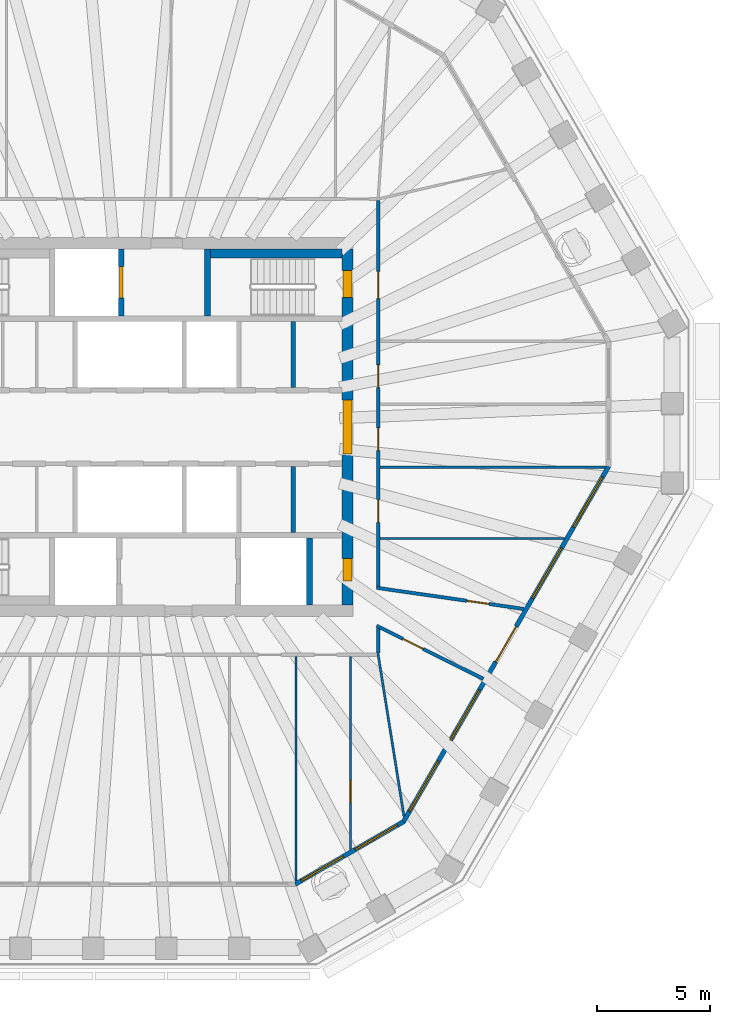
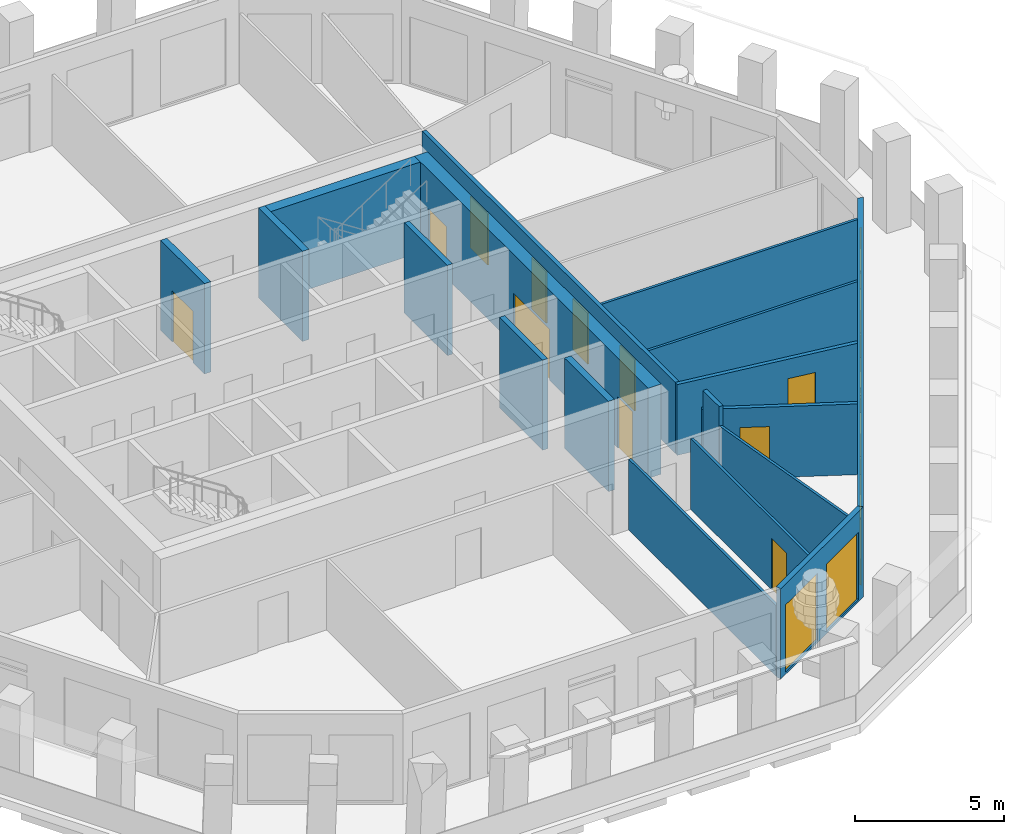
# One storey, part 5 of 11: 18 walls, 12 doors, 7 windows, 19 openings.
"""IFC4 building model written with IfcOpenShell, lengths in metres."""

from ifc_helpers import new_model, si_unit, direction, frame, frame_2d, origin, place, context, subcontext, project, spatial, polyline, rectangle, outline, extrude, material, layer, layer_set, type_object, element, fill, save


model = new_model("IFC4")

# Units and contexts
model_context = context("Model", 3, precision=1e-05, world=origin(), true_north=direction((0.0, 1.0)))
body_context = subcontext(model_context, "Body", "Model", "MODEL_VIEW")
ifc_project = project(units=[si_unit("LENGTHUNIT", "METRE"), si_unit("AREAUNIT", "SQUARE_METRE"), si_unit("VOLUMEUNIT", "CUBIC_METRE"), si_unit("PLANEANGLEUNIT", "RADIAN"), si_unit("MASSUNIT", "GRAM", prefix="KILO")], contexts=[model_context])

# Site, building, storey
site_placement = place(None, origin())
site = spatial("IfcSite", under=ifc_project, at=site_placement, CompositionType="ELEMENT")
building_placement = place(site_placement, origin())
building = spatial("IfcBuilding", under=site, at=building_placement, Name="Frailejon Research Tower", CompositionType="ELEMENT")
storey_placement = place(building_placement, frame((0.0, 0.0, 295.0)))
storey = spatial("IfcBuildingStorey", under=building, at=storey_placement, Name="L65", CompositionType="ELEMENT", Elevation=295.0)

# Wall, openings, doors
ifc_material_1 = material(Name="Concrete C50/60", Category="concrete")
ifc_layer_1 = layer(ifc_material_1, 0.5)
ifc_layer_set_1 = layer_set([ifc_layer_1], Name="Core shear wall 500 C50/60")
wall_type_1 = type_object("IfcWallType", Name="Core shear wall 500 C50/60", PredefinedType="SHEAR", material=ifc_layer_set_1)
wall_1_placement = place(storey_placement, frame((9.60009765625, -7.85009765625, 0.0), z_axis=(0.0, 0.0, 1.0), x_axis=(0.0, 1.0, 0.0)))
wall_1 = element("IfcWall", 1, at=wall_1_placement, inside=storey, type_object=wall_type_1, Name="Core shear wall", PredefinedType="SHEAR", context=body_context, shape_type="SweptSolid", body=[
    extrude(rectangle(XDim=15.7001953125, YDim=0.5, at=frame_2d((7.85009765625, 0.0))), origin(), (0.0, 0.0, 1.0), 3.699951171875),
])
opening_1_placement = place(wall_1_placement, frame((6.64990234375, 0.0, 0.0)))
opening_1 = element("IfcOpeningElement", 2, at=opening_1_placement, cuts=wall_1, Name="Opening D2", PredefinedType="OPENING", context=body_context, shape_type="SweptSolid", body=[
    extrude(rectangle(XDim=2.39990234375, YDim=2.10009765625, at=frame_2d((1.199951171875, 1.050048828125))), frame((0.0, 0.260009765625, 0.0), z_axis=(0.0, -1.0, 0.0), x_axis=(1.0, 0.0, 0.0)), (0.0, 0.0, 1.0), 0.52001953125),
])
opening_2_placement = place(wall_1_placement, frame((13.550048828125, 0.0, 0.0)))
opening_2 = element("IfcOpeningElement", 3, at=opening_2_placement, cuts=wall_1, Name="Opening D1", PredefinedType="OPENING", context=body_context, shape_type="SweptSolid", body=[
    extrude(rectangle(XDim=1.199951171875, YDim=2.10009765625, at=frame_2d((0.60009765625, 1.050048828125))), frame((0.0, 0.260009765625, 0.0), z_axis=(0.0, -1.0, 0.0), x_axis=(1.0, 0.0, 0.0)), (0.0, 0.0, 1.0), 0.52001953125),
])
opening_3_placement = place(wall_1_placement, frame((1.050048828125, 0.0, 0.0)))
opening_3 = element("IfcOpeningElement", 4, at=opening_3_placement, cuts=wall_1, Name="Opening D4", PredefinedType="OPENING", context=body_context, shape_type="SweptSolid", body=[
    extrude(rectangle(XDim=1.0, YDim=2.10009765625, at=frame_2d((0.5, 1.050048828125))), frame((0.0, 0.260009765625, 0.0), z_axis=(0.0, -1.0, 0.0), x_axis=(1.0, 0.0, 0.0)), (0.0, 0.0, 1.0), 0.52001953125),
])
ifc_material_2 = material(Name="Steel", Category="steel")
door_type_1 = type_object("IfcDoorType", Name="Lobby double door", OperationType="DOUBLE_DOOR_SINGLE_SWING", PredefinedType="DOOR", material=ifc_material_2)
door_1_placement = place(opening_1_placement, origin())
door_1 = element("IfcDoor", 5, at=door_1_placement, inside=storey, type_object=door_type_1, Name="Lobby door", OperationType="DOUBLE_DOOR_SINGLE_SWING", OverallHeight=2.10009765625, OverallWidth=2.39990234375, PredefinedType="DOOR", context=body_context, shape_type="SweptSolid", body=[
    extrude(rectangle(XDim=2.39990234375, YDim=2.10009765625, at=frame_2d((1.199951171875, 1.050048828125))), frame((0.0, 0.199951171875, 0.0), z_axis=(0.0, -1.0, 0.0), x_axis=(1.0, 0.0, 0.0)), (0.0, 0.0, 1.0), 0.39990234375),
])
fill(opening_1, door_1)
ifc_material_3 = material(Name="Steel", Category="steel")
door_type_2 = type_object("IfcDoorType", Name="Service door", OperationType="SINGLE_SWING_LEFT", PredefinedType="DOOR", material=ifc_material_3)
door_2_placement = place(opening_3_placement, origin())
door_2 = element("IfcDoor", 6, at=door_2_placement, inside=storey, type_object=door_type_2, Name="Riser door", OperationType="SINGLE_SWING_LEFT", OverallHeight=2.10009765625, OverallWidth=1.0, PredefinedType="DOOR", context=body_context, shape_type="SweptSolid", body=[
    extrude(rectangle(XDim=1.0, YDim=2.10009765625, at=frame_2d((0.5, 1.050048828125))), frame((0.0, 0.199951171875, 0.0), z_axis=(0.0, -1.0, 0.0), x_axis=(1.0, 0.0, 0.0)), (0.0, 0.0, 1.0), 0.39990234375),
])
fill(opening_3, door_2)
ifc_material_4 = material(Name="Steel", Category="steel")
door_type_3 = type_object("IfcDoorType", Name="Stair door", OperationType="SINGLE_SWING_LEFT", PredefinedType="DOOR", material=ifc_material_4)
door_3_placement = place(opening_2_placement, origin())
door_3 = element("IfcDoor", 7, at=door_3_placement, inside=storey, type_object=door_type_3, Name="Stair door ST3", OperationType="SINGLE_SWING_RIGHT", OverallHeight=2.10009765625, OverallWidth=1.199951171875, PredefinedType="DOOR", context=body_context, shape_type="SweptSolid", body=[
    extrude(rectangle(XDim=1.199951171875, YDim=2.10009765625, at=frame_2d((0.60009765625, 1.050048828125))), frame((0.0, 0.199951171875, 0.0), z_axis=(0.0, -1.0, 0.0), x_axis=(1.0, 0.0, 0.0)), (0.0, 0.0, 1.0), 0.39990234375),
])
fill(opening_2, door_3)

# Wall
ifc_material_5 = material(Name="Gypsum board and masonry partition", Category="masonry")
ifc_layer_2 = layer(ifc_material_5, 0.14990234375)
ifc_layer_set_2 = layer_set([ifc_layer_2], Name="Corridor wall EI 60, gypsum on steel studs 150")
wall_type_2 = type_object("IfcWallType", Name="Corridor wall EI 60, gypsum on steel studs 150", PredefinedType="PARTITIONING", material=ifc_layer_set_2)
wall_2_placement = place(storey_placement, frame((10.949951171875, -9.97509765625, 0.0), z_axis=(0.0, 0.0, 1.0), x_axis=(0.0, 1.0, 0.0)))
element("IfcWall", 8, at=wall_2_placement, inside=storey, type_object=wall_type_2, Name="T:IW:L65:001", PredefinedType="PARTITIONING", context=body_context, shape_type="SweptSolid", body=[
    extrude(rectangle(XDim=1.10009765625, YDim=0.14990234375, at=frame_2d((0.550048828125, 0.0))), origin(), (0.0, 0.0, 1.0), 3.699951171875),
])

# Wall, openings, doors
wall_3_placement = place(storey_placement, frame((10.949951171875, -7.02490234375, 0.0), z_axis=(0.0, 0.0, 1.0), x_axis=(0.0, 1.0, 0.0)))
wall_3 = element("IfcWall", 9, at=wall_3_placement, inside=storey, type_object=wall_type_2, Name="T:IW:L65:002", PredefinedType="PARTITIONING", context=body_context, shape_type="SweptSolid", body=[
    extrude(rectangle(XDim=17.0, YDim=0.14990234375, at=frame_2d((8.5, 0.0))), origin(), (0.0, 0.0, 1.0), 2.89990234375),
])
opening_4_placement = place(wall_3_placement, frame((8.758056640625, 0.0, 0.0)))
opening_4 = element("IfcOpeningElement", 10, at=opening_4_placement, cuts=wall_3, Name="Opening D2245", PredefinedType="OPENING", context=body_context, shape_type="SweptSolid", body=[
    extrude(rectangle(XDim=1.0, YDim=2.10009765625, at=frame_2d((0.5, 1.050048828125))), frame((0.0, 0.0849609375, 0.0), z_axis=(0.0, -1.0, 0.0), x_axis=(1.0, 0.0, 0.0)), (0.0, 0.0, 1.0), 0.169921875),
])
opening_5_placement = place(wall_3_placement, frame((12.687255859375, 0.0, 0.0)))
opening_5 = element("IfcOpeningElement", 11, at=opening_5_placement, cuts=wall_3, Name="Opening D2246", PredefinedType="OPENING", context=body_context, shape_type="SweptSolid", body=[
    extrude(rectangle(XDim=1.199951171875, YDim=2.10009765625, at=frame_2d((0.60009765625, 1.050048828125))), frame((0.0, 0.0849609375, 0.0), z_axis=(0.0, -1.0, 0.0), x_axis=(1.0, 0.0, 0.0)), (0.0, 0.0, 1.0), 0.169921875),
])
opening_6_placement = place(wall_3_placement, frame((2.821533203125, 0.0, 0.0)))
opening_6 = element("IfcOpeningElement", 12, at=opening_6_placement, cuts=wall_3, Name="Opening D2263", PredefinedType="OPENING", context=body_context, shape_type="SweptSolid", body=[
    extrude(rectangle(XDim=1.0, YDim=2.10009765625, at=frame_2d((0.5, 1.050048828125))), frame((0.0, 0.0849609375, 0.0), z_axis=(0.0, -1.0, 0.0), x_axis=(1.0, 0.0, 0.0)), (0.0, 0.0, 1.0), 0.169921875),
])
opening_7_placement = place(wall_3_placement, frame((5.9794921875, 0.0, 0.0)))
opening_7 = element("IfcOpeningElement", 13, at=opening_7_placement, cuts=wall_3, Name="Opening D2264", PredefinedType="OPENING", context=body_context, shape_type="SweptSolid", body=[
    extrude(rectangle(XDim=1.0, YDim=2.10009765625, at=frame_2d((0.5, 1.050048828125))), frame((0.0, 0.0849609375, 0.0), z_axis=(0.0, -1.0, 0.0), x_axis=(1.0, 0.0, 0.0)), (0.0, 0.0, 1.0), 0.169921875),
])
ifc_material_6 = material(Name="Timber door leaf", Category="wood")
door_type_4 = type_object("IfcDoorType", Name="Door single leaf, timber, steel frame 1000", OperationType="NOTDEFINED", PredefinedType="DOOR", material=ifc_material_6)
door_4_placement = place(opening_4_placement, origin())
door_4 = element("IfcDoor", 14, at=door_4_placement, inside=storey, type_object=door_type_4, Name="D2245", OperationType="SINGLE_SWING_LEFT", OverallHeight=2.10009765625, OverallWidth=1.0, PredefinedType="DOOR", context=body_context, shape_type="SweptSolid", body=[
    extrude(rectangle(XDim=1.0, YDim=2.10009765625, at=frame_2d((0.5, 1.050048828125))), frame((0.0, 0.02490234375, 0.0), z_axis=(0.0, -1.0, 0.0), x_axis=(1.0, 0.0, 0.0)), (0.0, 0.0, 1.0), 0.050048828125),
])
fill(opening_4, door_4)
door_5_placement = place(opening_6_placement, origin())
door_5 = element("IfcDoor", 15, at=door_5_placement, inside=storey, type_object=door_type_4, Name="D2263", OperationType="SINGLE_SWING_RIGHT", OverallHeight=2.10009765625, OverallWidth=1.0, PredefinedType="DOOR", context=body_context, shape_type="SweptSolid", body=[
    extrude(rectangle(XDim=1.0, YDim=2.10009765625, at=frame_2d((0.5, 1.050048828125))), frame((0.0, 0.02490234375, 0.0), z_axis=(0.0, -1.0, 0.0), x_axis=(1.0, 0.0, 0.0)), (0.0, 0.0, 1.0), 0.050048828125),
])
fill(opening_6, door_5)
door_6_placement = place(opening_7_placement, origin())
door_6 = element("IfcDoor", 16, at=door_6_placement, inside=storey, type_object=door_type_4, Name="D2264", OperationType="SINGLE_SWING_RIGHT", OverallHeight=2.10009765625, OverallWidth=1.0, PredefinedType="DOOR", context=body_context, shape_type="SweptSolid", body=[
    extrude(rectangle(XDim=1.0, YDim=2.10009765625, at=frame_2d((0.5, 1.050048828125))), frame((0.0, 0.02490234375, 0.0), z_axis=(0.0, -1.0, 0.0), x_axis=(1.0, 0.0, 0.0)), (0.0, 0.0, 1.0), 0.050048828125),
])
fill(opening_7, door_6)
ifc_material_7 = material(Name="Timber door leaf", Category="wood")
door_type_5 = type_object("IfcDoorType", Name="Door single leaf, timber, steel frame 1200", OperationType="NOTDEFINED", PredefinedType="DOOR", material=ifc_material_7)
door_7_placement = place(opening_5_placement, origin())
door_7 = element("IfcDoor", 17, at=door_7_placement, inside=storey, type_object=door_type_5, Name="D2246", OperationType="DOUBLE_DOOR_SINGLE_SWING", OverallHeight=2.10009765625, OverallWidth=1.199951171875, PredefinedType="DOOR", context=body_context, shape_type="SweptSolid", body=[
    extrude(rectangle(XDim=1.199951171875, YDim=2.10009765625, at=frame_2d((0.60009765625, 1.050048828125))), frame((0.0, 0.02490234375, 0.0), z_axis=(0.0, -1.0, 0.0), x_axis=(1.0, 0.0, 0.0)), (0.0, 0.0, 1.0), 0.050048828125),
])
fill(opening_5, door_7)

# Wall, opening, door
wall_4_placement = place(storey_placement, frame((10.8828125, -8.7666015625, 0.0), z_axis=(0.0, 0.0, 1.0), x_axis=(0.895299399587, -0.445464908943, 0.0)))
wall_4 = element("IfcWall", 18, at=wall_4_placement, inside=storey, type_object=wall_type_2, Name="T:IW:L65:009", PredefinedType="PARTITIONING", context=body_context, shape_type="SweptSolid", body=[
    extrude(rectangle(XDim=5.251953125, YDim=0.14990234375, at=frame_2d((2.6259765625, 0.0))), origin(), (0.0, 0.0, 1.0), 2.89990234375),
])
opening_8_placement = place(wall_4_placement, frame((1.294189453125, 0.0, 0.0)))
opening_8 = element("IfcOpeningElement", 19, at=opening_8_placement, cuts=wall_4, Name="Opening D2261", PredefinedType="OPENING", context=body_context, shape_type="SweptSolid", body=[
    extrude(rectangle(XDim=1.0, YDim=2.10009765625, at=frame_2d((0.5, 1.050048828125))), frame((0.0, 0.0849609375, 0.0), z_axis=(0.0, -1.0, 0.0), x_axis=(1.0, 0.0, 0.0)), (0.0, 0.0, 1.0), 0.169921875),
])
door_8_placement = place(opening_8_placement, origin())
door_8 = element("IfcDoor", 20, at=door_8_placement, inside=storey, type_object=door_type_4, Name="D2261", OperationType="SINGLE_SWING_RIGHT", OverallHeight=2.10009765625, OverallWidth=1.0, PredefinedType="DOOR", context=body_context, shape_type="SweptSolid", body=[
    extrude(rectangle(XDim=1.0, YDim=2.10009765625, at=frame_2d((0.5, 1.050048828125))), frame((0.0, 0.02490234375, 0.0), z_axis=(0.0, -1.0, 0.0), x_axis=(1.0, 0.0, 0.0)), (0.0, 0.0, 1.0), 0.050048828125),
])
fill(opening_8, door_8)

wall_5_placement = place(storey_placement, frame((10.875732421875, -7.08935546875, 0.0), z_axis=(0.0, 0.0, 1.0), x_axis=(0.989786471217, -0.142557852804, 0.0)))
wall_5 = element("IfcWall", 21, at=wall_5_placement, inside=storey, type_object=wall_type_2, Name="T:IW:L65:010", PredefinedType="PARTITIONING", context=body_context, shape_type="SweptSolid", body=[
    extrude(rectangle(XDim=6.5556640625, YDim=0.14990234375, at=frame_2d((3.27783203125, 0.0))), origin(), (0.0, 0.0, 1.0), 2.89990234375),
])
opening_9_placement = place(wall_5_placement, frame((4.010498046875, 0.0, 0.0)))
opening_9 = element("IfcOpeningElement", 22, at=opening_9_placement, cuts=wall_5, Name="Opening D2262", PredefinedType="OPENING", context=body_context, shape_type="SweptSolid", body=[
    extrude(rectangle(XDim=1.0, YDim=2.10009765625, at=frame_2d((0.5, 1.050048828125))), frame((0.0, 0.0849609375, 0.0), z_axis=(0.0, -1.0, 0.0), x_axis=(1.0, 0.0, 0.0)), (0.0, 0.0, 1.0), 0.169921875),
])
door_9_placement = place(opening_9_placement, origin())
door_9 = element("IfcDoor", 23, at=door_9_placement, inside=storey, type_object=door_type_4, Name="D2262", OperationType="SINGLE_SWING_LEFT", OverallHeight=2.10009765625, OverallWidth=1.0, PredefinedType="DOOR", context=body_context, shape_type="SweptSolid", body=[
    extrude(rectangle(XDim=1.0, YDim=2.10009765625, at=frame_2d((0.5, 1.050048828125))), frame((0.0, 0.02490234375, 0.0), z_axis=(0.0, -1.0, 0.0), x_axis=(1.0, 0.0, 0.0)), (0.0, 0.0, 1.0), 0.050048828125),
])
fill(opening_9, door_9)

# Walls
ifc_material_8 = material(Name="Gypsum board and masonry partition", Category="masonry")
ifc_layer_3 = layer(ifc_material_8, 0.10009765625)
ifc_layer_set_3 = layer_set([ifc_layer_3], Name="Partition, gypsum on steel studs 100")
wall_type_3 = type_object("IfcWallType", Name="Partition, gypsum on steel studs 100", PredefinedType="PARTITIONING", material=ifc_layer_set_3)
wall_6_placement = place(storey_placement, frame((11.02490234375, -1.77294921875, 0.0), z_axis=(0.0, 0.0, 1.0), x_axis=(1.0, 0.0, 0.0)))
element("IfcWall", 24, at=wall_6_placement, inside=storey, type_object=wall_type_3, Name="T:IW:L65:020", PredefinedType="PARTITIONING", context=body_context, shape_type="SweptSolid", body=[
    extrude(rectangle(XDim=9.948486328125, YDim=0.10009765625, at=frame_2d((4.97412109375, 0.0))), origin(), (0.0, 0.0, 1.0), 2.89990234375),
])
wall_7_placement = place(storey_placement, frame((11.02490234375, -4.913818359375, 0.0), z_axis=(0.0, 0.0, 1.0), x_axis=(1.0, 0.0, 0.0)))
element("IfcWall", 25, at=wall_7_placement, inside=storey, type_object=wall_type_3, Name="T:IW:L65:022", PredefinedType="PARTITIONING", context=body_context, shape_type="SweptSolid", body=[
    extrude(rectangle(XDim=8.13525390625, YDim=0.10009765625, at=frame_2d((4.067626953125, 0.0))), origin(), (0.0, 0.0, 1.0), 2.89990234375),
])
wall_8_placement = place(storey_placement, frame((7.3251953125, -20.024658203125, 0.0), z_axis=(0.0, 0.0, 1.0), x_axis=(0.0, 1.0, 0.0)))
element("IfcWall", 26, at=wall_8_placement, inside=storey, type_object=wall_type_3, Name="T:IW:L65:026", PredefinedType="PARTITIONING", context=body_context, shape_type="SweptSolid", body=[
    extrude(rectangle(XDim=9.899658203125, YDim=0.10009765625, at=frame_2d((4.94970703125, 0.0))), origin(), (0.0, 0.0, 1.0), 2.89990234375),
])

# Wall, opening, door
wall_9_placement = place(storey_placement, frame((9.731201171875, -18.635498046875, 0.0), z_axis=(0.0, 0.0, 1.0), x_axis=(0.0, 1.0, 0.0)))
wall_9 = element("IfcWall", 27, at=wall_9_placement, inside=storey, type_object=wall_type_3, Name="T:IW:L65:027", PredefinedType="PARTITIONING", context=body_context, shape_type="SweptSolid", body=[
    extrude(rectangle(XDim=8.510498046875, YDim=0.10009765625, at=frame_2d((4.25537109375, 0.0))), origin(), (0.0, 0.0, 1.0), 2.89990234375),
])
opening_10_placement = place(wall_9_placement, frame((2.0712890625, 0.0, 0.0)))
opening_10 = element("IfcOpeningElement", 28, at=opening_10_placement, cuts=wall_9, Name="Opening D2260", PredefinedType="OPENING", context=body_context, shape_type="SweptSolid", body=[
    extrude(rectangle(XDim=1.0, YDim=2.10009765625, at=frame_2d((0.5, 1.050048828125))), frame((0.0, 0.06005859375, 0.0), z_axis=(0.0, -1.0, 0.0), x_axis=(1.0, 0.0, 0.0)), (0.0, 0.0, 1.0), 0.1201171875),
])
door_10_placement = place(opening_10_placement, origin())
door_10 = element("IfcDoor", 29, at=door_10_placement, inside=storey, type_object=door_type_4, Name="D2260", OperationType="SINGLE_SWING_RIGHT", OverallHeight=2.10009765625, OverallWidth=1.0, PredefinedType="DOOR", context=body_context, shape_type="SweptSolid", body=[
    extrude(rectangle(XDim=1.0, YDim=2.10009765625, at=frame_2d((0.5, 1.050048828125))), frame((0.0, 0.02490234375, 0.0), z_axis=(0.0, -1.0, 0.0), x_axis=(1.0, 0.0, 0.0)), (0.0, 0.0, 1.0), 0.050048828125),
])
fill(opening_10, door_10)

# Walls
wall_10_placement = place(storey_placement, frame((10.938232421875, -9.975830078125, 0.0), z_axis=(0.0, 0.0, 1.0), x_axis=(0.157868848491, -0.98746008865, 0.0)))
element("IfcWall", 30, at=wall_10_placement, inside=storey, type_object=wall_type_3, Name="T:IW:L65:028", PredefinedType="PARTITIONING", context=body_context, shape_type="SweptSolid", body=[
    extrude(rectangle(XDim=7.279296875, YDim=0.10009765625, at=frame_2d((3.6396484375, 0.0))), origin(), (0.0, 0.0, 1.0), 2.89990234375),
])
ifc_material_9 = material(Name="Concrete C50/60", Category="concrete")
ifc_layer_4 = layer(ifc_material_9, 0.199951171875)
ifc_layer_set_4 = layer_set([ifc_layer_4], Name="Shaft wall 200 C50/60")
wall_type_4 = type_object("IfcWallType", Name="Shaft wall 200 C50/60", PredefinedType="SOLIDWALL", material=ifc_layer_set_4)
for number, where, z_axis, x_axis, name in (
    (31, (7.199951171875, 1.75, 0.0), (0.0, 0.0, 1.0), (0.0, 1.0, 0.0), "Shaft wall"),
    (32, (7.199951171875, -4.64990234375, 0.0), (0.0, 0.0, 1.0), (0.0, 1.0, 0.0), "Shaft wall"),
):
    element("IfcWall", number, at=place(storey_placement, frame(where, z_axis=z_axis, x_axis=x_axis)), inside=storey, type_object=wall_type_4, Name=name, PredefinedType="SOLIDWALL", context=body_context, shape_type="SweptSolid", body=[
        extrude(rectangle(XDim=2.89990234375, YDim=0.199951171875, at=frame_2d((1.449951171875, 0.0))), origin(), (0.0, 0.0, 1.0), 3.699951171875),
    ])

# Wall, opening, door
ifc_material_10 = material(Name="Concrete C50/60", Category="concrete")
ifc_layer_5 = layer(ifc_material_10, 0.25)
ifc_layer_set_5 = layer_set([ifc_layer_5], Name="Shaft wall 250 C50/60")
wall_type_5 = type_object("IfcWallType", Name="Shaft wall 250 C50/60", PredefinedType="SOLIDWALL", material=ifc_layer_set_5)
wall_11_placement = place(storey_placement, frame((-0.375, 4.89990234375, 0.0), z_axis=(0.0, 0.0, 1.0), x_axis=(0.0, 1.0, 0.0)))
wall_11 = element("IfcWall", 33, at=wall_11_placement, inside=storey, type_object=wall_type_5, Name="Shaft wall", PredefinedType="SOLIDWALL", context=body_context, shape_type="SweptSolid", body=[
    extrude(rectangle(XDim=2.9501953125, YDim=0.25, at=frame_2d((1.47509765625, 0.0))), origin(), (0.0, 0.0, 1.0), 3.699951171875),
])
opening_11_placement = place(wall_11_placement, frame((0.77490234375, 0.0, 0.0)))
opening_11 = element("IfcOpeningElement", 34, at=opening_11_placement, cuts=wall_11, Name="Opening LD2", PredefinedType="OPENING", context=body_context, shape_type="SweptSolid", body=[
    extrude(rectangle(XDim=1.39990234375, YDim=2.10009765625, at=frame_2d((0.699951171875, 1.050048828125))), frame((0.0, 0.135009765625, 0.0), z_axis=(0.0, -1.0, 0.0), x_axis=(1.0, 0.0, 0.0)), (0.0, 0.0, 1.0), 0.27001953125),
])
ifc_material_11 = material(Name="Stainless steel", Category="steel")
door_type_6 = type_object("IfcDoorType", Name="Goods landing door", OperationType="DOUBLE_DOOR_SLIDING", PredefinedType="DOOR", material=ifc_material_11)
door_11_placement = place(opening_11_placement, origin())
door_11 = element("IfcDoor", 35, at=door_11_placement, inside=storey, type_object=door_type_6, Name="Lift landing door", OperationType="DOUBLE_DOOR_SLIDING", OverallHeight=2.10009765625, OverallWidth=1.39990234375, PredefinedType="DOOR", context=body_context, shape_type="SweptSolid", body=[
    extrude(rectangle(XDim=1.39990234375, YDim=2.10009765625, at=frame_2d((0.699951171875, 1.050048828125))), frame((0.0, 0.074951171875, 0.0), z_axis=(0.0, -1.0, 0.0), x_axis=(1.0, 0.0, 0.0)), (0.0, 0.0, 1.0), 0.14990234375),
])
fill(opening_11, door_11)

# Walls
for number, where, z_axis, x_axis, name in (
    (36, (3.425048828125, 4.89990234375, 0.0), (0.0, 0.0, 1.0), (0.0, 1.0, 0.0), "Shaft wall"),
    (37, (7.925048828125, -7.85009765625, 0.0), (0.0, 0.0, 1.0), (0.0, 1.0, 0.0), "Shaft wall"),
):
    element("IfcWall", number, at=place(storey_placement, frame(where, z_axis=z_axis, x_axis=x_axis)), inside=storey, type_object=wall_type_5, Name=name, PredefinedType="SOLIDWALL", context=body_context, shape_type="SweptSolid", body=[
        extrude(rectangle(XDim=2.9501953125, YDim=0.25, at=frame_2d((1.47509765625, 0.0))), origin(), (0.0, 0.0, 1.0), 3.699951171875),
    ])
ifc_material_12 = material(Name="Concrete C50/60", Category="concrete")
ifc_layer_6 = layer(ifc_material_12, 0.39990234375)
ifc_layer_set_6 = layer_set([ifc_layer_6], Name="Shaft wall 400 C50/60")
wall_type_6 = type_object("IfcWallType", Name="Shaft wall 400 C50/60", PredefinedType="SOLIDWALL", material=ifc_layer_set_6)
wall_12_placement = place(storey_placement, frame((3.550048828125, 7.64990234375, 0.0), z_axis=(0.0, 0.0, 1.0), x_axis=(1.0, 0.0, 0.0)))
element("IfcWall", 38, at=wall_12_placement, inside=storey, type_object=wall_type_6, Name="Shaft wall", PredefinedType="SOLIDWALL", context=body_context, shape_type="SweptSolid", body=[
    extrude(rectangle(XDim=5.800048828125, YDim=0.39990234375, at=frame_2d((2.89990234375, 0.0))), origin(), (0.0, 0.0, 1.0), 3.699951171875),
])

# Wall, openings, windows
ifc_material_13 = material(Name="Concrete C40/50 precast window wall panel", Category="concrete")
ifc_layer_7 = layer(ifc_material_13, 0.199951171875)
ifc_layer_set_7 = layer_set([ifc_layer_7], Name="Window wall 200")
wall_type_7 = type_object("IfcWallType", Name="Window wall 200", PredefinedType="SOLIDWALL", material=ifc_layer_set_7)
wall_13_placement = place(storey_placement, frame((7.29833984375, -20.155517578125, 0.0), z_axis=(0.0, 0.0, 1.0), x_axis=(0.866014926636, 0.500018146515, 0.0)))
wall_13 = element("IfcWall", 39, at=wall_13_placement, inside=storey, type_object=wall_type_7, Name="Exterior wall L65", PredefinedType="SOLIDWALL", context=body_context, shape_type="SweptSolid", body=[
    extrude(outline(polyline([(-0.02685546875, -0.10009765625), (1.08447265625, -0.10009765625), (2.19580078125, -0.10009765625), (3.307373046875, -0.10009765625), (4.418701171875, -0.10009765625), (5.530029296875, -0.10009765625), (5.476318359375, 0.10009765625), (4.386474609375, 0.10009765625), (3.296630859375, 0.10009765625), (2.20654296875, 0.10009765625), (1.11669921875, 0.10009765625), (0.02685546875, 0.10009765625), (-0.02685546875, -0.10009765625)])), origin(), (0.0, 0.0, 1.0), 3.699951171875),
])
opening_12_placement = place(wall_13_placement, frame((0.30078125, 0.0, 0.10009765625)))
opening_12 = element("IfcOpeningElement", 40, at=opening_12_placement, cuts=wall_13, Name="Opening W22", PredefinedType="OPENING", context=body_context, shape_type="SweptSolid", body=[
    extrude(rectangle(XDim=2.14990234375, YDim=2.75, at=frame_2d((1.074951171875, 1.375))), frame((0.0, 0.10986328125, 0.0), z_axis=(0.0, -1.0, 0.0), x_axis=(1.0, 0.0, 0.0)), (0.0, 0.0, 1.0), 0.219970703125),
])
opening_13_placement = place(wall_13_placement, frame((3.052490234375, 0.0, 0.10009765625)))
opening_13 = element("IfcOpeningElement", 41, at=opening_13_placement, cuts=wall_13, Name="Opening W22", PredefinedType="OPENING", context=body_context, shape_type="SweptSolid", body=[
    extrude(rectangle(XDim=2.14990234375, YDim=2.75, at=frame_2d((1.074951171875, 1.375))), frame((0.0, 0.10986328125, 0.0), z_axis=(0.0, -1.0, 0.0), x_axis=(1.0, 0.0, 0.0)), (0.0, 0.0, 1.0), 0.219970703125),
])
ifc_material_14 = material(Name="Aluminium framed double glazing", Category="aluminium")
window_type_1 = type_object("IfcWindowType", Name="Window 2150x2750", PartitioningType="SINGLE_PANEL", PredefinedType="WINDOW", material=ifc_material_14)
window_1_placement = place(opening_12_placement, origin())
window_1 = element("IfcWindow", 42, at=window_1_placement, inside=storey, type_object=window_type_1, Name="Window L65", OverallHeight=2.75, OverallWidth=2.14990234375, PartitioningType="SINGLE_PANEL", PredefinedType="WINDOW", context=body_context, shape_type="SweptSolid", body=[
    extrude(rectangle(XDim=2.14990234375, YDim=2.75, at=frame_2d((1.074951171875, 1.375))), frame((0.0, 0.030029296875, 0.0), z_axis=(0.0, -1.0, 0.0), x_axis=(1.0, 0.0, 0.0)), (0.0, 0.0, 1.0), 0.06005859375),
])
fill(opening_12, window_1)
window_2_placement = place(opening_13_placement, origin())
window_2 = element("IfcWindow", 43, at=window_2_placement, inside=storey, type_object=window_type_1, Name="Window L65", OverallHeight=2.75, OverallWidth=2.14990234375, PartitioningType="SINGLE_PANEL", PredefinedType="WINDOW", context=body_context, shape_type="SweptSolid", body=[
    extrude(rectangle(XDim=2.14990234375, YDim=2.75, at=frame_2d((1.074951171875, 1.375))), frame((0.0, 0.030029296875, 0.0), z_axis=(0.0, -1.0, 0.0), x_axis=(1.0, 0.0, 0.0)), (0.0, 0.0, 1.0), 0.06005859375),
])
fill(opening_13, window_2)

# Wall, openings, door, windows
wall_14_placement = place(storey_placement, frame((12.064208984375, -17.40380859375, 0.0), z_axis=(0.0, 0.0, 1.0), x_axis=(0.500012333517, 0.866018282908, 0.0)))
wall_14 = element("IfcWall", 44, at=wall_14_placement, inside=storey, type_object=wall_type_7, Name="Exterior wall L65", PredefinedType="SOLIDWALL", context=body_context, shape_type="SweptSolid", body=[
    extrude(outline(polyline([(-0.02685546875, -0.10009765625), (0.98046875, -0.10009765625), (1.988037109375, -0.10009765625), (2.995361328125, -0.10009765625), (4.0029296875, -0.10009765625), (5.01025390625, -0.10009765625), (6.017822265625, -0.10009765625), (7.025146484375, -0.10009765625), (8.03271484375, -0.10009765625), (9.0400390625, -0.10009765625), (10.04736328125, -0.10009765625), (11.054931640625, -0.10009765625), (12.062255859375, -0.10009765625), (13.06982421875, -0.10009765625), (14.0771484375, -0.10009765625), (15.084716796875, -0.10009765625), (16.092041015625, -0.10009765625), (17.099609375, -0.10009765625), (18.10693359375, -0.10009765625), (18.05322265625, 0.10009765625), (17.0517578125, 0.10009765625), (16.05029296875, 0.10009765625), (15.048828125, 0.10009765625), (14.04736328125, 0.10009765625), (13.0458984375, 0.10009765625), (12.04443359375, 0.10009765625), (11.04296875, 0.10009765625), (10.04150390625, 0.10009765625), (9.0400390625, 0.10009765625), (8.03857421875, 0.10009765625), (7.037109375, 0.10009765625), (6.03564453125, 0.10009765625), (5.0341796875, 0.10009765625), (4.03271484375, 0.10009765625), (3.03125, 0.10009765625), (2.02978515625, 0.10009765625), (1.0283203125, 0.10009765625), (0.02685546875, 0.10009765625), (-0.02685546875, -0.10009765625)])), origin(), (0.0, 0.0, 1.0), 3.699951171875),
])
opening_14_placement = place(wall_14_placement, frame((0.532958984375, 0.0, 0.10009765625)))
opening_14 = element("IfcOpeningElement", 45, at=opening_14_placement, cuts=wall_14, Name="Opening W25", PredefinedType="OPENING", context=body_context, shape_type="SweptSolid", body=[
    extrude(rectangle(XDim=2.550048828125, YDim=2.75, at=frame_2d((1.27490234375, 1.375))), frame((0.0, 0.10986328125, 0.0), z_axis=(0.0, -1.0, 0.0), x_axis=(1.0, 0.0, 0.0)), (0.0, 0.0, 1.0), 0.219970703125),
])
opening_15_placement = place(wall_14_placement, frame((4.14892578125, 0.0, 0.10009765625)))
opening_15 = element("IfcOpeningElement", 46, at=opening_15_placement, cuts=wall_14, Name="Opening W25", PredefinedType="OPENING", context=body_context, shape_type="SweptSolid", body=[
    extrude(rectangle(XDim=2.550048828125, YDim=2.75, at=frame_2d((1.27490234375, 1.375))), frame((0.0, 0.10986328125, 0.0), z_axis=(0.0, -1.0, 0.0), x_axis=(1.0, 0.0, 0.0)), (0.0, 0.0, 1.0), 0.219970703125),
])
opening_16_placement = place(wall_14_placement, frame((8.14013671875, 0.0, 0.0)))
opening_16 = element("IfcOpeningElement", 47, at=opening_16_placement, cuts=wall_14, Name="Opening LG65-6", PredefinedType="OPENING", context=body_context, shape_type="SweptSolid", body=[
    extrude(rectangle(XDim=1.800048828125, YDim=2.39990234375, at=frame_2d((0.89990234375, 1.199951171875))), frame((0.0, 0.10986328125, 0.0), z_axis=(0.0, -1.0, 0.0), x_axis=(1.0, 0.0, 0.0)), (0.0, 0.0, 1.0), 0.219970703125),
])
opening_17_placement = place(wall_14_placement, frame((8.14013671875, 0.0, 2.550048828125)))
opening_17 = element("IfcOpeningElement", 48, at=opening_17_placement, cuts=wall_14, Name="Opening W24", PredefinedType="OPENING", context=body_context, shape_type="SweptSolid", body=[
    extrude(rectangle(XDim=1.800048828125, YDim=0.300048828125, at=frame_2d((0.89990234375, 0.14990234375))), frame((0.0, 0.10986328125, 0.0), z_axis=(0.0, -1.0, 0.0), x_axis=(1.0, 0.0, 0.0)), (0.0, 0.0, 1.0), 0.219970703125),
])
opening_18_placement = place(wall_14_placement, frame((11.381103515625, 0.0, 0.10009765625)))
opening_18 = element("IfcOpeningElement", 49, at=opening_18_placement, cuts=wall_14, Name="Opening W25", PredefinedType="OPENING", context=body_context, shape_type="SweptSolid", body=[
    extrude(rectangle(XDim=2.550048828125, YDim=2.75, at=frame_2d((1.27490234375, 1.375))), frame((0.0, 0.10986328125, 0.0), z_axis=(0.0, -1.0, 0.0), x_axis=(1.0, 0.0, 0.0)), (0.0, 0.0, 1.0), 0.219970703125),
])
opening_19_placement = place(wall_14_placement, frame((14.9970703125, 0.0, 0.10009765625)))
opening_19 = element("IfcOpeningElement", 50, at=opening_19_placement, cuts=wall_14, Name="Opening W25", PredefinedType="OPENING", context=body_context, shape_type="SweptSolid", body=[
    extrude(rectangle(XDim=2.550048828125, YDim=2.75, at=frame_2d((1.27490234375, 1.375))), frame((0.0, 0.10986328125, 0.0), z_axis=(0.0, -1.0, 0.0), x_axis=(1.0, 0.0, 0.0)), (0.0, 0.0, 1.0), 0.219970703125),
])
ifc_material_15 = material(Name="Aluminium framed glazed door leaf", Category="aluminium")
door_type_7 = type_object("IfcDoorType", Name="Loggia door 1800x2400", OperationType="DOUBLE_DOOR_SINGLE_SWING", PredefinedType="DOOR", material=ifc_material_15)
door_12_placement = place(opening_16_placement, origin())
door_12 = element("IfcDoor", 51, at=door_12_placement, inside=storey, type_object=door_type_7, Name="Door LG65-6", OperationType="DOUBLE_DOOR_SINGLE_SWING", OverallHeight=2.39990234375, OverallWidth=1.800048828125, PredefinedType="DOOR", context=body_context, shape_type="SweptSolid", body=[
    extrude(rectangle(XDim=1.800048828125, YDim=2.39990234375, at=frame_2d((0.89990234375, 1.199951171875))), frame((0.0, 0.02490234375, 0.0), z_axis=(0.0, -1.0, 0.0), x_axis=(1.0, 0.0, 0.0)), (0.0, 0.0, 1.0), 0.050048828125),
])
fill(opening_16, door_12)
ifc_material_16 = material(Name="Aluminium framed double glazing", Category="aluminium")
window_type_2 = type_object("IfcWindowType", Name="Window 1800x300", PartitioningType="SINGLE_PANEL", PredefinedType="WINDOW", material=ifc_material_16)
window_3_placement = place(opening_17_placement, origin())
window_3 = element("IfcWindow", 52, at=window_3_placement, inside=storey, type_object=window_type_2, Name="Window L65", OverallHeight=0.300048828125, OverallWidth=1.800048828125, PartitioningType="SINGLE_PANEL", PredefinedType="WINDOW", context=body_context, shape_type="SweptSolid", body=[
    extrude(rectangle(XDim=1.800048828125, YDim=0.300048828125, at=frame_2d((0.89990234375, 0.14990234375))), frame((0.0, 0.030029296875, 0.0), z_axis=(0.0, -1.0, 0.0), x_axis=(1.0, 0.0, 0.0)), (0.0, 0.0, 1.0), 0.06005859375),
])
fill(opening_17, window_3)
ifc_material_17 = material(Name="Aluminium framed double glazing", Category="aluminium")
window_type_3 = type_object("IfcWindowType", Name="Window 2550x2750", PartitioningType="SINGLE_PANEL", PredefinedType="WINDOW", material=ifc_material_17)
window_4_placement = place(opening_14_placement, origin())
window_4 = element("IfcWindow", 53, at=window_4_placement, inside=storey, type_object=window_type_3, Name="Window L65", OverallHeight=2.75, OverallWidth=2.550048828125, PartitioningType="SINGLE_PANEL", PredefinedType="WINDOW", context=body_context, shape_type="SweptSolid", body=[
    extrude(rectangle(XDim=2.550048828125, YDim=2.75, at=frame_2d((1.27490234375, 1.375))), frame((0.0, 0.030029296875, 0.0), z_axis=(0.0, -1.0, 0.0), x_axis=(1.0, 0.0, 0.0)), (0.0, 0.0, 1.0), 0.06005859375),
])
fill(opening_14, window_4)
window_5_placement = place(opening_15_placement, origin())
window_5 = element("IfcWindow", 54, at=window_5_placement, inside=storey, type_object=window_type_3, Name="Window L65", OverallHeight=2.75, OverallWidth=2.550048828125, PartitioningType="SINGLE_PANEL", PredefinedType="WINDOW", context=body_context, shape_type="SweptSolid", body=[
    extrude(rectangle(XDim=2.550048828125, YDim=2.75, at=frame_2d((1.27490234375, 1.375))), frame((0.0, 0.030029296875, 0.0), z_axis=(0.0, -1.0, 0.0), x_axis=(1.0, 0.0, 0.0)), (0.0, 0.0, 1.0), 0.06005859375),
])
fill(opening_15, window_5)
window_6_placement = place(opening_18_placement, origin())
window_6 = element("IfcWindow", 55, at=window_6_placement, inside=storey, type_object=window_type_3, Name="Window L65", OverallHeight=2.75, OverallWidth=2.550048828125, PartitioningType="SINGLE_PANEL", PredefinedType="WINDOW", context=body_context, shape_type="SweptSolid", body=[
    extrude(rectangle(XDim=2.550048828125, YDim=2.75, at=frame_2d((1.27490234375, 1.375))), frame((0.0, 0.030029296875, 0.0), z_axis=(0.0, -1.0, 0.0), x_axis=(1.0, 0.0, 0.0)), (0.0, 0.0, 1.0), 0.06005859375),
])
fill(opening_18, window_6)
window_7_placement = place(opening_19_placement, origin())
window_7 = element("IfcWindow", 56, at=window_7_placement, inside=storey, type_object=window_type_3, Name="Window L65", OverallHeight=2.75, OverallWidth=2.550048828125, PartitioningType="SINGLE_PANEL", PredefinedType="WINDOW", context=body_context, shape_type="SweptSolid", body=[
    extrude(rectangle(XDim=2.550048828125, YDim=2.75, at=frame_2d((1.27490234375, 1.375))), frame((0.0, 0.030029296875, 0.0), z_axis=(0.0, -1.0, 0.0), x_axis=(1.0, 0.0, 0.0)), (0.0, 0.0, 1.0), 0.06005859375),
])
fill(opening_19, window_7)

save(model, "model.ifc")
